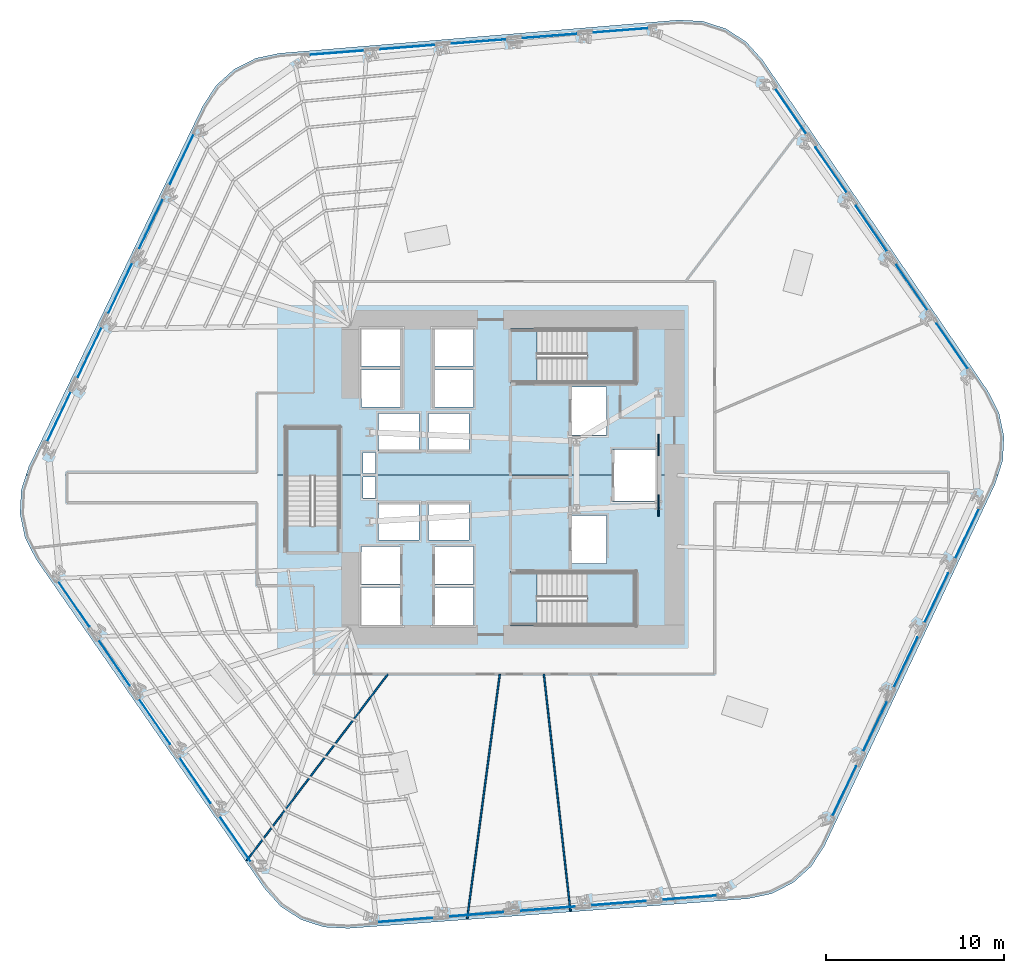
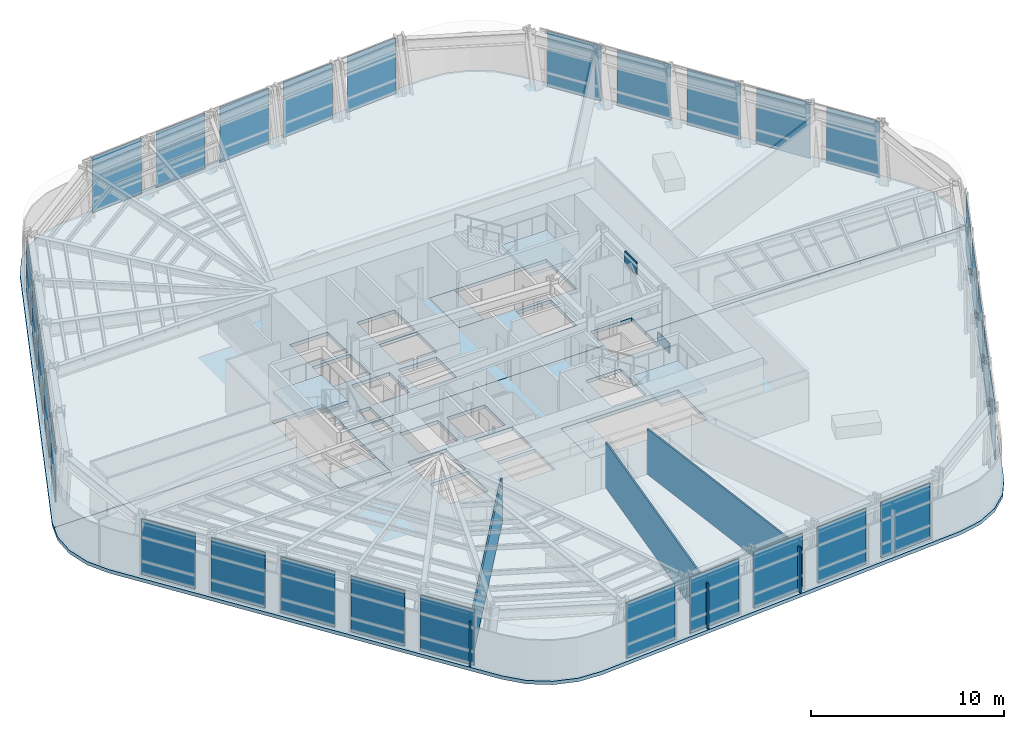
# One storey, part 7 of 15: 32 plates, 8 slabs, 3 walls, 9 elements without a shape of their own.
"""IFC4 building model written with IfcOpenShell, lengths in metres."""

from ifc_helpers import new_model, si_unit, direction, frame, frame_2d, origin, origin_2d, place, context, subcontext, project, spatial, polyline, rectangle, outline, extrude, material, layer, layer_set, type_object, element, aggregate, save


model = new_model("IFC4")

# Units and contexts
model_context = context("Model", 3, precision=1e-05, world=origin(), true_north=direction((0.0, 1.0)))
body_context = subcontext(model_context, "Body", "Model", "MODEL_VIEW")
ifc_project = project(units=[si_unit("LENGTHUNIT", "METRE"), si_unit("AREAUNIT", "SQUARE_METRE"), si_unit("VOLUMEUNIT", "CUBIC_METRE"), si_unit("PLANEANGLEUNIT", "RADIAN"), si_unit("MASSUNIT", "GRAM", prefix="KILO")], contexts=[model_context])

# Site, building, storey
site_placement = place(None, origin())
site = spatial("IfcSite", under=ifc_project, at=site_placement, CompositionType="ELEMENT")
building_placement = place(site_placement, origin())
building = spatial("IfcBuilding", under=site, at=building_placement, Name="Valkerne Bourse Tower", CompositionType="ELEMENT")
storey_placement = place(building_placement, frame((0.0, 0.0, 43.0)))
storey = spatial("IfcBuildingStorey", under=building, at=storey_placement, Name="L10", CompositionType="ELEMENT", Elevation=43.0)

# Curtain wall, plates
ifc_material_1 = material(Name="Aluminium AA 6063-T6", Category="aluminium")
ifc_layer_1 = layer(ifc_material_1, 0.22509765625)
ifc_layer_set_1 = layer_set([ifc_layer_1], Name="Aluminium AA 6063-T6")
curtain_wall_type = type_object("IfcCurtainWallType", Name="CW-01", PredefinedType="NOTDEFINED", material=ifc_layer_set_1)
curtain_wall_1_placement = place(storey_placement, origin())
curtain_wall_1 = element("IfcCurtainWall", 1, at=curtain_wall_1_placement, inside=storey, type_object=curtain_wall_type, Name="L10 Hexagonal Stick Curtain Wall Face 1", PredefinedType="NOTDEFINED")
ifc_material_2 = material(Name="Glass IGU Low-E Double Glazed", Category="glass")
ifc_layer_2 = layer(ifc_material_2, 0.031982421875)
ifc_layer_set_2 = layer_set([ifc_layer_2], Name="Glass IGU Low-E Double Glazed")
plate_type_1 = type_object("IfcPlateType", Name="CW-PNL-IGU-32", PredefinedType="CURTAIN_PANEL", material=ifc_layer_set_2)
plate_1_placement = place(storey_placement, frame((71.41259765625, 34.21826171875, 0.030029296875), z_axis=(0.0, 0.0, 1.0), x_axis=(-0.566414114299, 0.824120774597, 0.0)))
plate_1 = element("IfcPlate", 2, at=plate_1_placement, type_object=plate_type_1, Name="CW-L10-F1 Curtain Panel 00", PredefinedType="CURTAIN_PANEL", context=body_context, shape_type="SweptSolid", body=[
    extrude(rectangle(XDim=3.076171875, YDim=0.031982421875, at=origin_2d()), origin(), (0.0, 0.0, 1.0), 3.52001953125),
])
plate_2_placement = place(storey_placement, frame((69.149169921875, 37.511474609375, 0.030029296875), z_axis=(0.0, 0.0, 1.0), x_axis=(-0.566414114299, 0.824120774597, 0.0)))
plate_2 = element("IfcPlate", 3, at=plate_2_placement, type_object=plate_type_1, Name="CW-L10-F1 Curtain Panel 01", PredefinedType="CURTAIN_PANEL", context=body_context, shape_type="SweptSolid", body=[
    extrude(rectangle(XDim=3.076171875, YDim=0.031982421875, at=origin_2d()), origin(), (0.0, 0.0, 1.0), 3.52001953125),
])
plate_3_placement = place(storey_placement, frame((66.8857421875, 40.804443359375, 0.030029296875), z_axis=(0.0, 0.0, 1.0), x_axis=(-0.566397117643, 0.824132456056, 0.0)))
plate_3 = element("IfcPlate", 4, at=plate_3_placement, type_object=plate_type_1, Name="CW-L10-F1 Curtain Panel 02", PredefinedType="CURTAIN_PANEL", context=body_context, shape_type="SweptSolid", body=[
    extrude(rectangle(XDim=3.075927734375, YDim=0.031982421875, at=origin_2d()), origin(), (0.0, 0.0, 1.0), 3.52001953125),
])
plate_4_placement = place(storey_placement, frame((64.622314453125, 44.097900390625, 0.030029296875), z_axis=(0.0, 0.0, 1.0), x_axis=(-0.566414114299, 0.824120774597, 0.0)))
plate_4 = element("IfcPlate", 5, at=plate_4_placement, type_object=plate_type_1, Name="CW-L10-F1 Curtain Panel 03", PredefinedType="CURTAIN_PANEL", context=body_context, shape_type="SweptSolid", body=[
    extrude(rectangle(XDim=3.076171875, YDim=0.031982421875, at=origin_2d()), origin(), (0.0, 0.0, 1.0), 3.52001953125),
])
plate_5_placement = place(storey_placement, frame((62.35888671875, 47.39111328125, 0.030029296875), z_axis=(0.0, 0.0, 1.0), x_axis=(-0.566397117643, 0.824132456056, 0.0)))
plate_5 = element("IfcPlate", 6, at=plate_5_placement, type_object=plate_type_1, Name="CW-L10-F1 Curtain Panel 04", PredefinedType="CURTAIN_PANEL", context=body_context, shape_type="SweptSolid", body=[
    extrude(rectangle(XDim=3.075927734375, YDim=0.031982421875, at=origin_2d()), origin(), (0.0, 0.0, 1.0), 3.52001953125),
])
aggregate(curtain_wall_1, [plate_1, plate_2, plate_3, plate_4, plate_5])

curtain_wall_2_placement = place(storey_placement, origin())
curtain_wall_2 = element("IfcCurtainWall", 7, at=curtain_wall_2_placement, inside=storey, type_object=curtain_wall_type, Name="L10 Hexagonal Stick Curtain Wall Face 2", PredefinedType="NOTDEFINED")
plate_6_placement = place(storey_placement, frame((52.85498046875, 51.924072265625, 0.030029296875), z_axis=(0.0, 0.0, 1.0), x_axis=(-0.99691780328, -0.078453129337, 0.0)))
plate_6 = element("IfcPlate", 8, at=plate_6_placement, type_object=plate_type_1, Name="CW-L10-F2 Curtain Panel 00", PredefinedType="CURTAIN_PANEL", context=body_context, shape_type="SweptSolid", body=[
    extrude(rectangle(XDim=3.075927734375, YDim=0.031982421875, at=origin_2d()), origin(), (0.0, 0.0, 1.0), 3.52001953125),
])
plate_7_placement = place(storey_placement, frame((48.871337890625, 51.610595703125, 0.030029296875), z_axis=(0.0, 0.0, 1.0), x_axis=(-0.99691780328, -0.078453129337, 0.0)))
plate_7 = element("IfcPlate", 9, at=plate_7_placement, type_object=plate_type_1, Name="CW-L10-F2 Curtain Panel 01", PredefinedType="CURTAIN_PANEL", context=body_context, shape_type="SweptSolid", body=[
    extrude(rectangle(XDim=3.075927734375, YDim=0.031982421875, at=origin_2d()), origin(), (0.0, 0.0, 1.0), 3.52001953125),
])
plate_8_placement = place(storey_placement, frame((44.8876953125, 51.297119140625, 0.030029296875), z_axis=(0.0, 0.0, 1.0), x_axis=(-0.99691780328, -0.078453129337, 0.0)))
plate_8 = element("IfcPlate", 10, at=plate_8_placement, type_object=plate_type_1, Name="CW-L10-F2 Curtain Panel 02", PredefinedType="CURTAIN_PANEL", context=body_context, shape_type="SweptSolid", body=[
    extrude(rectangle(XDim=3.075927734375, YDim=0.031982421875, at=origin_2d()), origin(), (0.0, 0.0, 1.0), 3.52001953125),
])
plate_9_placement = place(storey_placement, frame((40.904052734375, 50.9833984375, 0.030029296875), z_axis=(0.0, 0.0, 1.0), x_axis=(-0.996915845742, -0.078478000155, 0.0)))
plate_9 = element("IfcPlate", 11, at=plate_9_placement, type_object=plate_type_1, Name="CW-L10-F2 Curtain Panel 03", PredefinedType="CURTAIN_PANEL", context=body_context, shape_type="SweptSolid", body=[
    extrude(rectangle(XDim=3.075927734375, YDim=0.031982421875, at=origin_2d()), origin(), (0.0, 0.0, 1.0), 3.52001953125),
])
plate_10_placement = place(storey_placement, frame((36.92041015625, 50.669921875, 0.030029296875), z_axis=(0.0, 0.0, 1.0), x_axis=(-0.99691764925, -0.078455086606, 0.0)))
plate_10 = element("IfcPlate", 12, at=plate_10_placement, type_object=plate_type_1, Name="CW-L10-F2 Curtain Panel 04", PredefinedType="CURTAIN_PANEL", context=body_context, shape_type="SweptSolid", body=[
    extrude(rectangle(XDim=3.075927734375, YDim=0.031982421875, at=origin_2d()), origin(), (0.0, 0.0, 1.0), 3.52001953125),
])
aggregate(curtain_wall_2, [plate_6, plate_7, plate_8, plate_9, plate_10])

curtain_wall_3_placement = place(storey_placement, origin())
curtain_wall_3 = element("IfcCurtainWall", 13, at=curtain_wall_3_placement, inside=storey, type_object=curtain_wall_type, Name="L10 Hexagonal Stick Curtain Wall Face 3", PredefinedType="NOTDEFINED")
plate_11_placement = place(storey_placement, frame((28.24267578125, 44.7060546875, 0.030029296875), z_axis=(0.0, 0.0, 1.0), x_axis=(-0.430499812509, -0.902590666598, 0.0)))
plate_11 = element("IfcPlate", 14, at=plate_11_placement, type_object=plate_type_1, Name="CW-L10-F3 Curtain Panel 00", PredefinedType="CURTAIN_PANEL", context=body_context, shape_type="SweptSolid", body=[
    extrude(rectangle(XDim=3.075927734375, YDim=0.031982421875, at=origin_2d()), origin(), (0.0, 0.0, 1.0), 3.52001953125),
])
plate_12_placement = place(storey_placement, frame((26.522216796875, 41.09912109375, 0.030029296875), z_axis=(0.0, 0.0, 1.0), x_axis=(-0.430529923211, -0.902576304375, 0.0)))
plate_12 = element("IfcPlate", 15, at=plate_12_placement, type_object=plate_type_1, Name="CW-L10-F3 Curtain Panel 01", PredefinedType="CURTAIN_PANEL", context=body_context, shape_type="SweptSolid", body=[
    extrude(rectangle(XDim=3.075927734375, YDim=0.031982421875, at=origin_2d()), origin(), (0.0, 0.0, 1.0), 3.52001953125),
])
plate_13_placement = place(storey_placement, frame((24.802001953125, 37.49267578125, 0.030029296875), z_axis=(0.0, 0.0, 1.0), x_axis=(-0.430509536417, -0.902586028617, 0.0)))
plate_13 = element("IfcPlate", 16, at=plate_13_placement, type_object=plate_type_1, Name="CW-L10-F3 Curtain Panel 02", PredefinedType="CURTAIN_PANEL", context=body_context, shape_type="SweptSolid", body=[
    extrude(rectangle(XDim=3.075927734375, YDim=0.031982421875, at=origin_2d()), origin(), (0.0, 0.0, 1.0), 3.52001953125),
])
plate_14_placement = place(storey_placement, frame((23.08154296875, 33.8857421875, 0.030029296875), z_axis=(0.0, 0.0, 1.0), x_axis=(-0.430499812509, -0.902590666598, 0.0)))
plate_14 = element("IfcPlate", 17, at=plate_14_placement, type_object=plate_type_1, Name="CW-L10-F3 Curtain Panel 03", PredefinedType="CURTAIN_PANEL", context=body_context, shape_type="SweptSolid", body=[
    extrude(rectangle(XDim=3.075927734375, YDim=0.031982421875, at=origin_2d()), origin(), (0.0, 0.0, 1.0), 3.52001953125),
])
plate_15_placement = place(storey_placement, frame((21.361328125, 30.279052734375, 0.030029296875), z_axis=(0.0, 0.0, 1.0), x_axis=(-0.430509536417, -0.902586028617, 0.0)))
plate_15 = element("IfcPlate", 18, at=plate_15_placement, type_object=plate_type_1, Name="CW-L10-F3 Curtain Panel 04", PredefinedType="CURTAIN_PANEL", context=body_context, shape_type="SweptSolid", body=[
    extrude(rectangle(XDim=3.075927734375, YDim=0.031982421875, at=origin_2d()), origin(), (0.0, 0.0, 1.0), 3.52001953125),
])
aggregate(curtain_wall_3, [plate_11, plate_12, plate_13, plate_14, plate_15])

curtain_wall_4_placement = place(storey_placement, origin())
curtain_wall_4 = element("IfcCurtainWall", 19, at=curtain_wall_4_placement, inside=storey, type_object=curtain_wall_type, Name="L10 Hexagonal Stick Curtain Wall Face 4", PredefinedType="NOTDEFINED")
plate_16_placement = place(storey_placement, frame((22.1875, 19.78173828125, 0.030029296875), z_axis=(0.0, 0.0, 1.0), x_axis=(0.566414114299, -0.824120774597, 0.0)))
plate_16 = element("IfcPlate", 20, at=plate_16_placement, type_object=plate_type_1, Name="CW-L10-F4 Curtain Panel 00", PredefinedType="CURTAIN_PANEL", context=body_context, shape_type="SweptSolid", body=[
    extrude(rectangle(XDim=3.076171875, YDim=0.031982421875, at=origin_2d()), origin(), (0.0, 0.0, 1.0), 3.52001953125),
])
plate_17_placement = place(storey_placement, frame((24.450927734375, 16.488525390625, 0.030029296875), z_axis=(0.0, 0.0, 1.0), x_axis=(0.566414114299, -0.824120774597, 0.0)))
plate_17 = element("IfcPlate", 21, at=plate_17_placement, type_object=plate_type_1, Name="CW-L10-F4 Curtain Panel 01", PredefinedType="CURTAIN_PANEL", context=body_context, shape_type="SweptSolid", body=[
    extrude(rectangle(XDim=3.076171875, YDim=0.031982421875, at=origin_2d()), origin(), (0.0, 0.0, 1.0), 3.52001953125),
])
plate_18_placement = place(storey_placement, frame((26.714111328125, 13.195556640625, 0.030029296875), z_axis=(0.0, 0.0, 1.0), x_axis=(0.566397117643, -0.824132456056, 0.0)))
plate_18 = element("IfcPlate", 22, at=plate_18_placement, type_object=plate_type_1, Name="CW-L10-F4 Curtain Panel 02", PredefinedType="CURTAIN_PANEL", context=body_context, shape_type="SweptSolid", body=[
    extrude(rectangle(XDim=3.075927734375, YDim=0.031982421875, at=origin_2d()), origin(), (0.0, 0.0, 1.0), 3.52001953125),
])
plate_19_placement = place(storey_placement, frame((28.9775390625, 9.902099609375, 0.030029296875), z_axis=(0.0, 0.0, 1.0), x_axis=(0.566414114299, -0.824120774597, 0.0)))
plate_19 = element("IfcPlate", 23, at=plate_19_placement, type_object=plate_type_1, Name="CW-L10-F4 Curtain Panel 03", PredefinedType="CURTAIN_PANEL", context=body_context, shape_type="SweptSolid", body=[
    extrude(rectangle(XDim=3.076171875, YDim=0.031982421875, at=origin_2d()), origin(), (0.0, 0.0, 1.0), 3.52001953125),
])
plate_20_placement = place(storey_placement, frame((31.240966796875, 6.60888671875, 0.030029296875), z_axis=(0.0, 0.0, 1.0), x_axis=(0.566397117643, -0.824132456056, 0.0)))
plate_20 = element("IfcPlate", 24, at=plate_20_placement, type_object=plate_type_1, Name="CW-L10-F4 Curtain Panel 04", PredefinedType="CURTAIN_PANEL", context=body_context, shape_type="SweptSolid", body=[
    extrude(rectangle(XDim=3.075927734375, YDim=0.031982421875, at=origin_2d()), origin(), (0.0, 0.0, 1.0), 3.52001953125),
])
aggregate(curtain_wall_4, [plate_16, plate_17, plate_18, plate_19, plate_20])

curtain_wall_5_placement = place(storey_placement, origin())
curtain_wall_5 = element("IfcCurtainWall", 25, at=curtain_wall_5_placement, inside=storey, type_object=curtain_wall_type, Name="L10 Hexagonal Stick Curtain Wall Face 5", PredefinedType="NOTDEFINED")
plate_21_placement = place(storey_placement, frame((40.744873046875, 2.075927734375, 0.030029296875), z_axis=(0.0, 0.0, 1.0), x_axis=(0.99691780328, 0.078453129337, 0.0)))
plate_21 = element("IfcPlate", 26, at=plate_21_placement, type_object=plate_type_1, Name="CW-L10-F5 Curtain Panel 00", PredefinedType="CURTAIN_PANEL", context=body_context, shape_type="SweptSolid", body=[
    extrude(rectangle(XDim=3.075927734375, YDim=0.031982421875, at=origin_2d()), origin(), (0.0, 0.0, 1.0), 3.52001953125),
])
plate_22_placement = place(storey_placement, frame((44.728515625, 2.389404296875, 0.030029296875), z_axis=(0.0, 0.0, 1.0), x_axis=(0.99691780328, 0.078453129337, 0.0)))
plate_22 = element("IfcPlate", 27, at=plate_22_placement, type_object=plate_type_1, Name="CW-L10-F5 Curtain Panel 01", PredefinedType="CURTAIN_PANEL", context=body_context, shape_type="SweptSolid", body=[
    extrude(rectangle(XDim=3.075927734375, YDim=0.031982421875, at=origin_2d()), origin(), (0.0, 0.0, 1.0), 3.52001953125),
])
plate_23_placement = place(storey_placement, frame((48.712158203125, 2.702880859375, 0.030029296875), z_axis=(0.0, 0.0, 1.0), x_axis=(0.99691780328, 0.078453129337, 0.0)))
plate_23 = element("IfcPlate", 28, at=plate_23_placement, type_object=plate_type_1, Name="CW-L10-F5 Curtain Panel 02", PredefinedType="CURTAIN_PANEL", context=body_context, shape_type="SweptSolid", body=[
    extrude(rectangle(XDim=3.075927734375, YDim=0.031982421875, at=origin_2d()), origin(), (0.0, 0.0, 1.0), 3.52001953125),
])
plate_24_placement = place(storey_placement, frame((52.69580078125, 3.016357421875, 0.030029296875), z_axis=(0.0, 0.0, 1.0), x_axis=(0.996915845742, 0.078478000155, 0.0)))
plate_24 = element("IfcPlate", 29, at=plate_24_placement, type_object=plate_type_1, Name="CW-L10-F5 Curtain Panel 03", PredefinedType="CURTAIN_PANEL", context=body_context, shape_type="SweptSolid", body=[
    extrude(rectangle(XDim=3.075927734375, YDim=0.031982421875, at=origin_2d()), origin(), (0.0, 0.0, 1.0), 3.52001953125),
])
plate_25_placement = place(storey_placement, frame((56.6796875, 3.330078125, 0.030029296875), z_axis=(0.0, 0.0, 1.0), x_axis=(0.99691764925, 0.078455086606, 0.0)))
plate_25 = element("IfcPlate", 30, at=plate_25_placement, type_object=plate_type_1, Name="CW-L10-F5 Curtain Panel 04", PredefinedType="CURTAIN_PANEL", context=body_context, shape_type="SweptSolid", body=[
    extrude(rectangle(XDim=3.075927734375, YDim=0.031982421875, at=origin_2d()), origin(), (0.0, 0.0, 1.0), 3.52001953125),
])
aggregate(curtain_wall_5, [plate_21, plate_22, plate_23, plate_24, plate_25])

curtain_wall_6_placement = place(storey_placement, origin())
curtain_wall_6 = element("IfcCurtainWall", 31, at=curtain_wall_6_placement, inside=storey, type_object=curtain_wall_type, Name="L10 Hexagonal Stick Curtain Wall Face 6", PredefinedType="NOTDEFINED")
plate_26_placement = place(storey_placement, frame((65.357421875, 9.2939453125, 0.030029296875), z_axis=(0.0, 0.0, 1.0), x_axis=(0.430499812509, 0.902590666598, 0.0)))
plate_26 = element("IfcPlate", 32, at=plate_26_placement, type_object=plate_type_1, Name="CW-L10-F6 Curtain Panel 00", PredefinedType="CURTAIN_PANEL", context=body_context, shape_type="SweptSolid", body=[
    extrude(rectangle(XDim=3.075927734375, YDim=0.031982421875, at=origin_2d()), origin(), (0.0, 0.0, 1.0), 3.52001953125),
])
plate_27_placement = place(storey_placement, frame((67.07763671875, 12.900634765625, 0.030029296875), z_axis=(0.0, 0.0, 1.0), x_axis=(0.430529923211, 0.902576304375, 0.0)))
plate_27 = element("IfcPlate", 33, at=plate_27_placement, type_object=plate_type_1, Name="CW-L10-F6 Curtain Panel 01", PredefinedType="CURTAIN_PANEL", context=body_context, shape_type="SweptSolid", body=[
    extrude(rectangle(XDim=3.075927734375, YDim=0.031982421875, at=origin_2d()), origin(), (0.0, 0.0, 1.0), 3.52001953125),
])
plate_28_placement = place(storey_placement, frame((68.798095703125, 16.50732421875, 0.030029296875), z_axis=(0.0, 0.0, 1.0), x_axis=(0.430509536417, 0.902586028617, 0.0)))
plate_28 = element("IfcPlate", 34, at=plate_28_placement, type_object=plate_type_1, Name="CW-L10-F6 Curtain Panel 02", PredefinedType="CURTAIN_PANEL", context=body_context, shape_type="SweptSolid", body=[
    extrude(rectangle(XDim=3.075927734375, YDim=0.031982421875, at=origin_2d()), origin(), (0.0, 0.0, 1.0), 3.52001953125),
])
plate_29_placement = place(storey_placement, frame((70.518310546875, 20.1142578125, 0.030029296875), z_axis=(0.0, 0.0, 1.0), x_axis=(0.430499812509, 0.902590666598, 0.0)))
plate_29 = element("IfcPlate", 35, at=plate_29_placement, type_object=plate_type_1, Name="CW-L10-F6 Curtain Panel 03", PredefinedType="CURTAIN_PANEL", context=body_context, shape_type="SweptSolid", body=[
    extrude(rectangle(XDim=3.075927734375, YDim=0.031982421875, at=origin_2d()), origin(), (0.0, 0.0, 1.0), 3.52001953125),
])
plate_30_placement = place(storey_placement, frame((72.23876953125, 23.720947265625, 0.030029296875), z_axis=(0.0, 0.0, 1.0), x_axis=(0.430509536417, 0.902586028617, 0.0)))
plate_30 = element("IfcPlate", 36, at=plate_30_placement, type_object=plate_type_1, Name="CW-L10-F6 Curtain Panel 04", PredefinedType="CURTAIN_PANEL", context=body_context, shape_type="SweptSolid", body=[
    extrude(rectangle(XDim=3.075927734375, YDim=0.031982421875, at=origin_2d()), origin(), (0.0, 0.0, 1.0), 3.52001953125),
])
aggregate(curtain_wall_6, [plate_26, plate_27, plate_28, plate_29, plate_30])

# Plates
ifc_material_3 = material(Name="Steel ASTM A572 Grade 50", Category="steel")
ifc_layer_3 = layer(ifc_material_3, 0.06005859375)
ifc_layer_set_3 = layer_set([ifc_layer_3], Name="Steel ASTM A572 Grade 50")
plate_type_2 = type_object("IfcPlateType", Name="PLT-GUS-60", PredefinedType="SHEET", material=ifc_layer_set_3)
for number, where, z_axis, x_axis, name in (
    (37, (54.949951171875, 25.300048828125, -0.18017578125), (0.0, 0.0, 1.0), (0.0, 1.0, 0.0), "L10 Brace Node Gusset Plate PLT-GUS-END-L10-336"),
    (38, (54.949951171875, 28.699951171875, 2.8740234375), (0.0, 0.0, 1.0), (0.0, 1.0, 0.0), "L10 Brace Node Gusset Plate PLT-GUS-END-L10-337"),
):
    element("IfcPlate", number, at=place(storey_placement, frame(where, z_axis=z_axis, x_axis=x_axis)), inside=storey, type_object=plate_type_2, Name=name, PredefinedType="SHEET", context=body_context, shape_type="SweptSolid", body=[
        extrude(rectangle(XDim=1.199951171875, YDim=0.06005859375, at=origin_2d()), origin(), (0.0, 0.0, 1.0), 0.800048828125),
    ])

# Slabs
ifc_material_4 = material(Name="Concrete C40/50", Category="concrete")
ifc_layer_4 = layer(ifc_material_4, 0.25)
ifc_layer_set_4 = layer_set([ifc_layer_4], Name="Concrete C40/50")
slab_type_1 = type_object("IfcSlabType", Name="SLB-RMP-LND-250", PredefinedType="LANDING", material=ifc_layer_set_4)
slab_1_placement = place(storey_placement, frame((0.0, 0.0, -0.219970703125)))
element("IfcSlab", 39, at=slab_1_placement, inside=storey, type_object=slab_type_1, Name="L10 ST-1 Floor Landing Slab", PredefinedType="LANDING", context=body_context, shape_type="SweptSolid", body=[
    extrude(outline(polyline([(46.669921875, 18.5400390625), (48.14990234375, 18.5400390625), (48.14990234375, 21.610107421875), (46.669921875, 21.610107421875), (46.669921875, 18.5400390625)])), origin(), (0.0, 0.0, 1.0), 0.219970703125),
])
slab_2_placement = place(storey_placement, frame((0.0, 0.0, -0.219970703125)))
element("IfcSlab", 40, at=slab_2_placement, inside=storey, type_object=slab_type_1, Name="L10 ST-2 Floor Landing Slab", PredefinedType="LANDING", context=body_context, shape_type="SweptSolid", body=[
    extrude(outline(polyline([(46.669921875, 32.139892578125), (48.14990234375, 32.139892578125), (48.14990234375, 35.2099609375), (46.669921875, 35.2099609375), (46.669921875, 32.139892578125)])), origin(), (0.0, 0.0, 1.0), 0.219970703125),
])
slab_3_placement = place(storey_placement, frame((0.0, 0.0, -0.219970703125)))
element("IfcSlab", 41, at=slab_3_placement, inside=storey, type_object=slab_type_1, Name="L10 ST-3 Floor Landing Slab", PredefinedType="LANDING", context=body_context, shape_type="SweptSolid", body=[
    extrude(outline(polyline([(37.110107421875, 22.669921875), (37.110107421875, 24.14990234375), (34.0400390625, 24.14990234375), (34.0400390625, 22.669921875), (37.110107421875, 22.669921875)])), origin(), (0.0, 0.0, 1.0), 0.219970703125),
])

# Stair, slab
stair_type = type_object("IfcStairType", Name="ST-CORE-1400", PredefinedType="HALF_TURN_STAIR", material=ifc_material_4)
stair_1_placement = place(storey_placement, origin())
stair_1 = element("IfcStair", 42, at=stair_1_placement, inside=storey, type_object=stair_type, Name="L10 ST-1", PredefinedType="HALF_TURN_STAIR")
ifc_layer_5 = layer(ifc_material_4, 0.179931640625)
ifc_layer_set_5 = layer_set([ifc_layer_5], Name="Concrete C40/50")
slab_type_2 = type_object("IfcSlabType", Name="SLB-ST-LND-180", PredefinedType="LANDING", material=ifc_layer_set_5)
slab_4_placement = place(storey_placement, frame((0.0, 0.0, 1.699951171875)))
slab_4 = element("IfcSlab", 43, at=slab_4_placement, type_object=slab_type_2, Name="ST-1 landing 1", PredefinedType="LANDING", context=body_context, shape_type="SweptSolid", body=[
    extrude(outline(polyline([(50.949951171875, 18.60009765625), (53.64990234375, 18.60009765625), (53.64990234375, 21.550048828125), (50.949951171875, 21.550048828125), (50.949951171875, 18.60009765625)])), origin(), (0.0, 0.0, 1.0), 0.199951171875),
])
aggregate(stair_1, [slab_4])

stair_2_placement = place(storey_placement, origin())
stair_2 = element("IfcStair", 44, at=stair_2_placement, inside=storey, type_object=stair_type, Name="L10 ST-2", PredefinedType="HALF_TURN_STAIR")
slab_5_placement = place(storey_placement, frame((0.0, 0.0, 1.699951171875)))
slab_5 = element("IfcSlab", 45, at=slab_5_placement, type_object=slab_type_2, Name="ST-2 landing 1", PredefinedType="LANDING", context=body_context, shape_type="SweptSolid", body=[
    extrude(outline(polyline([(50.949951171875, 32.199951171875), (53.64990234375, 32.199951171875), (53.64990234375, 35.14990234375), (50.949951171875, 35.14990234375), (50.949951171875, 32.199951171875)])), origin(), (0.0, 0.0, 1.0), 0.199951171875),
])
aggregate(stair_2, [slab_5])

stair_3_placement = place(storey_placement, origin())
stair_3 = element("IfcStair", 46, at=stair_3_placement, inside=storey, type_object=stair_type, Name="L10 ST-3", PredefinedType="HALF_TURN_STAIR")
slab_6_placement = place(storey_placement, frame((0.0, 0.0, 1.699951171875)))
slab_6 = element("IfcSlab", 47, at=slab_6_placement, type_object=slab_type_2, Name="ST-3 landing 1", PredefinedType="LANDING", context=body_context, shape_type="SweptSolid", body=[
    extrude(outline(polyline([(37.050048828125, 26.949951171875), (37.050048828125, 29.64990234375), (34.10009765625, 29.64990234375), (34.10009765625, 26.949951171875), (37.050048828125, 26.949951171875)])), origin(), (0.0, 0.0, 1.0), 0.199951171875),
])
aggregate(stair_3, [slab_6])

# Slabs
ifc_layer_6 = layer(ifc_material_4, 0.219970703125)
ifc_layer_set_6 = layer_set([ifc_layer_6], Name="Concrete C40/50")
slab_type_3 = type_object("IfcSlabType", Name="SLB-TOW-220", PredefinedType="FLOOR", material=ifc_layer_set_6)
slab_7_placement = place(storey_placement, frame((0.0, 0.0, -0.219970703125)))
element("IfcSlab", 48, at=slab_7_placement, inside=storey, type_object=slab_type_3, Name="L10 Hexagonal Composite Floor Slab S", PredefinedType="FLOOR", context=body_context, shape_type="SweptSolid", body=[
    extrude(outline(polyline([(63.505126953125, 5.06982421875), (62.496337890625, 4.16162109375), (61.286865234375, 3.54541015625), (59.958984375, 3.26318359375), (37.56640625, 1.60205078125), (36.210693359375, 1.673095703125), (34.919921875, 2.0927734375), (33.78125, 2.83203125), (32.873046875, 3.8408203125), (20.07177734375, 22.288330078125), (19.455322265625, 23.497802734375), (19.173095703125, 24.82568359375), (19.244140625, 26.181396484375), (19.51025390625, 27.0), (34.034912109375, 27.0), (34.034912109375, 22.6650390625), (37.114990234375, 22.6650390625), (37.114990234375, 27.0), (52.360107421875, 27.0), (52.360107421875, 25.56005859375), (54.840087890625, 25.56005859375), (54.840087890625, 27.0), (73.976318359375, 27.0), (73.820068359375, 26.5185546875), (64.244384765625, 6.20849609375), (63.505126953125, 5.06982421875)]), holes=[polyline([(40.590087890625, 20.68994140625), (38.31005859375, 20.68994140625), (38.31005859375, 18.610107421875), (40.590087890625, 18.610107421875), (40.590087890625, 20.68994140625)]), polyline([(40.590087890625, 22.989990234375), (38.31005859375, 22.989990234375), (38.31005859375, 20.909912109375), (40.590087890625, 20.909912109375), (40.590087890625, 22.989990234375)]), polyline([(41.5400390625, 25.43994140625), (39.260009765625, 25.43994140625), (39.260009765625, 23.360107421875), (41.5400390625, 23.360107421875), (41.5400390625, 25.43994140625)]), polyline([(39.10009765625, 25.72998046875), (39.10009765625, 26.89990234375), (38.3798828125, 26.89990234375), (38.3798828125, 25.72998046875), (39.10009765625, 25.72998046875)]), polyline([(44.590087890625, 20.68994140625), (42.31005859375, 20.68994140625), (42.31005859375, 18.610107421875), (44.590087890625, 18.610107421875), (44.590087890625, 20.68994140625)]), polyline([(53.675048828125, 21.614990234375), (46.6650390625, 21.614990234375), (46.6650390625, 18.534912109375), (53.675048828125, 18.534912109375), (53.675048828125, 21.614990234375)]), polyline([(44.590087890625, 22.989990234375), (42.31005859375, 22.989990234375), (42.31005859375, 20.909912109375), (44.590087890625, 20.909912109375), (44.590087890625, 22.989990234375)]), polyline([(52.0400390625, 22.06005859375), (52.0400390625, 24.739990234375), (49.9599609375, 24.739990234375), (49.9599609375, 22.06005859375), (52.0400390625, 22.06005859375)]), polyline([(44.340087890625, 23.360107421875), (44.340087890625, 25.43994140625), (42.06005859375, 25.43994140625), (42.06005859375, 23.360107421875), (44.340087890625, 23.360107421875)])]), origin(), (0.0, 0.0, 1.0), 0.219970703125),
])
slab_8_placement = place(storey_placement, frame((0.0, 0.0, -0.219970703125)))
element("IfcSlab", 49, at=slab_8_placement, inside=storey, type_object=slab_type_3, Name="L10 Hexagonal Composite Floor Slab N", PredefinedType="FLOOR", context=body_context, shape_type="SweptSolid", body=[
    extrude(outline(polyline([(19.663818359375, 27.472412109375), (29.421630859375, 47.6953125), (30.160888671875, 48.833984375), (31.169677734375, 49.7421875), (32.379150390625, 50.3583984375), (33.70703125, 50.640625), (56.083740234375, 52.503173828125), (57.439453125, 52.43212890625), (58.73046875, 52.0126953125), (59.868896484375, 51.273193359375), (60.777099609375, 50.264404296875), (73.412109375, 31.702392578125), (74.0283203125, 30.492919921875), (74.310546875, 29.1650390625), (74.239501953125, 27.8095703125), (73.976318359375, 27.0), (54.840087890625, 27.0), (54.840087890625, 28.43994140625), (52.360107421875, 28.43994140625), (52.360107421875, 27.0), (37.114990234375, 27.0), (37.114990234375, 29.675048828125), (34.034912109375, 29.675048828125), (34.034912109375, 27.0), (19.51025390625, 27.0), (19.663818359375, 27.472412109375)]), holes=[polyline([(39.10009765625, 28.27001953125), (38.3798828125, 28.27001953125), (38.3798828125, 27.10009765625), (39.10009765625, 27.10009765625), (39.10009765625, 28.27001953125)]), polyline([(41.5400390625, 30.43994140625), (39.260009765625, 30.43994140625), (39.260009765625, 28.360107421875), (41.5400390625, 28.360107421875), (41.5400390625, 30.43994140625)]), polyline([(44.340087890625, 30.43994140625), (42.06005859375, 30.43994140625), (42.06005859375, 28.360107421875), (44.340087890625, 28.360107421875), (44.340087890625, 30.43994140625)]), polyline([(40.590087890625, 30.81005859375), (40.590087890625, 32.889892578125), (38.31005859375, 32.889892578125), (38.31005859375, 30.81005859375), (40.590087890625, 30.81005859375)]), polyline([(40.590087890625, 33.110107421875), (40.590087890625, 35.18994140625), (38.31005859375, 35.18994140625), (38.31005859375, 33.110107421875), (40.590087890625, 33.110107421875)]), polyline([(52.0400390625, 31.93994140625), (49.9599609375, 31.93994140625), (49.9599609375, 29.260009765625), (52.0400390625, 29.260009765625), (52.0400390625, 31.93994140625)]), polyline([(44.590087890625, 32.889892578125), (42.31005859375, 32.889892578125), (42.31005859375, 30.81005859375), (44.590087890625, 30.81005859375), (44.590087890625, 32.889892578125)]), polyline([(53.675048828125, 32.135009765625), (53.675048828125, 35.215087890625), (46.6650390625, 35.215087890625), (46.6650390625, 32.135009765625), (53.675048828125, 32.135009765625)]), polyline([(44.590087890625, 33.110107421875), (44.590087890625, 35.18994140625), (42.31005859375, 35.18994140625), (42.31005859375, 33.110107421875), (44.590087890625, 33.110107421875)])]), origin(), (0.0, 0.0, 1.0), 0.219970703125),
])

# Walls
ifc_material_5 = material(Name="Gypsum Board Steel-Stud Partition", Category="steel")
ifc_layer_7 = layer(ifc_material_5, 0.092041015625)
ifc_layer_set_7 = layer_set([ifc_layer_7], Name="Gypsum Board Steel-Stud Partition")
wall_type = type_object("IfcWallType", Name="W-PART-115", PredefinedType="PARTITIONING", material=ifc_layer_set_7)
wall_1_placement = place(storey_placement, frame((46.058349609375, 15.844970703125, 0.0), z_axis=(0.0, 0.0, 1.0), x_axis=(-0.132248317122, -0.991216617404, 0.0)))
element("IfcWall", 50, at=wall_1_placement, inside=storey, type_object=wall_type, Name="L10 Suite Partition P01", PredefinedType="PARTITIONING", context=body_context, shape_type="SweptSolid", body=[
    extrude(rectangle(XDim=13.79931640625, YDim=0.092041015625, at=frame_2d((6.899658203125, 0.0))), origin(), (0.0, 0.0, 1.0), 2.86376953125),
])
wall_2_placement = place(storey_placement, frame((48.52783203125, 15.844970703125, 0.0), z_axis=(0.0, 0.0, 1.0), x_axis=(0.111464525468, -0.993768413446, 0.0)))
element("IfcWall", 51, at=wall_2_placement, inside=storey, type_object=wall_type, Name="L10 Suite Partition P02", PredefinedType="PARTITIONING", context=body_context, shape_type="SweptSolid", body=[
    extrude(rectangle(XDim=13.332275390625, YDim=0.092041015625, at=frame_2d((6.666015625, 0.0))), origin(), (0.0, 0.0, 1.0), 2.86376953125),
])
wall_3_placement = place(storey_placement, frame((39.78662109375, 15.844970703125, 0.0), z_axis=(0.0, 0.0, 1.0), x_axis=(-0.603663591711, -0.797239153606, 0.0)))
element("IfcWall", 52, at=wall_3_placement, inside=storey, type_object=wall_type, Name="L10 Suite Partition P07", PredefinedType="PARTITIONING", context=body_context, shape_type="SweptSolid", body=[
    extrude(rectangle(XDim=13.102783203125, YDim=0.092041015625, at=frame_2d((6.55126953125, 0.0))), origin(), (0.0, 0.0, 1.0), 2.80029296875),
])

save(model, "model.ifc")
